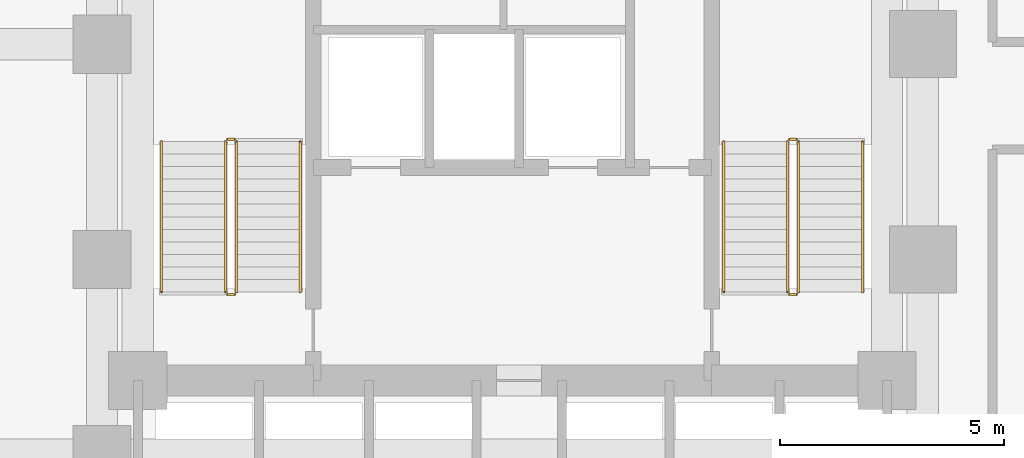
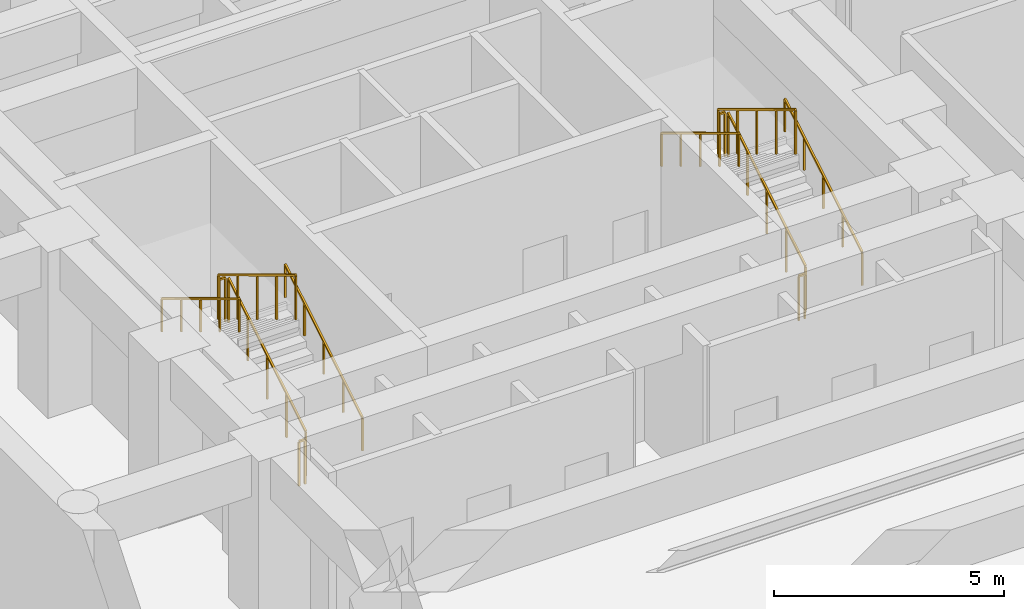
# One storey, part 6 of 6: 12 railings.
"""IFC4 building model written with IfcOpenShell, lengths in metres."""

from ifc_helpers import new_model, si_unit, direction, frame, origin, origin_2d, place, context, subcontext, project, spatial, rectangle, extrude, material, type_object, element, save


model = new_model("IFC4")

# Units and contexts
model_context = context("Model", 3, precision=1e-05, world=origin(), true_north=direction((0.0, 1.0)))
body_context = subcontext(model_context, "Body", "Model", "MODEL_VIEW")
ifc_project = project(units=[si_unit("LENGTHUNIT", "METRE"), si_unit("AREAUNIT", "SQUARE_METRE"), si_unit("VOLUMEUNIT", "CUBIC_METRE"), si_unit("PLANEANGLEUNIT", "RADIAN"), si_unit("MASSUNIT", "GRAM", prefix="KILO")], contexts=[model_context])

# Site, building, storey
site_placement = place(None, origin())
site = spatial("IfcSite", under=ifc_project, at=site_placement, CompositionType="ELEMENT")
building_placement = place(site_placement, origin())
building = spatial("IfcBuilding", under=site, at=building_placement, Name="Orvandelia Arch Residences", CompositionType="ELEMENT")
storey_placement = place(building_placement, frame((0.0, 0.0, -4.39990234375)))
storey = spatial("IfcBuildingStorey", under=building, at=storey_placement, Name="B1", CompositionType="ELEMENT", Elevation=-4.39990234375)

# Railings
ifc_material = material(Name="Brushed Stainless Steel 304", Category="steel")
railing_type_1 = type_object("IfcRailingType", Name="RL-STAIR-GD1120", PredefinedType="GUARDRAIL", material=ifc_material)
railing_1_placement = place(storey_placement, frame((8.25, 32.8701171875, 0.169189453125)))
element("IfcRailing", 1, at=railing_1_placement, inside=storey, type_object=railing_type_1, Name="B1 ST-1 stair guard 1", PredefinedType="GUARDRAIL", context=body_context, shape_type="SweptSolid", body=[
    extrude(rectangle(XDim=0.048095703125, YDim=0.048095703125, at=origin_2d()), frame((0.0, 0.0, 1.17578125), z_axis=(0.0, 0.855820338506, 0.51727318527), x_axis=(-1.0, 0.0, 0.0)), (0.0, 0.0, 1.0), 3.92578125),
    extrude(rectangle(XDim=0.0419921875, YDim=0.0419921875, at=origin_2d()), origin(), (0.0, 0.0, 1.0), 1.15185546875),
    extrude(rectangle(XDim=0.0419921875, YDim=0.0419921875, at=origin_2d()), frame((0.0, 0.83984375, 0.5078125)), (0.0, 0.0, 1.0), 1.15185546875),
    extrude(rectangle(XDim=0.0419921875, YDim=0.0419921875, at=origin_2d()), frame((0.0, 1.679931640625, 1.015380859375)), (0.0, 0.0, 1.0), 1.15185546875),
    extrude(rectangle(XDim=0.0419921875, YDim=0.0419921875, at=origin_2d()), frame((0.0, 2.52001953125, 1.52294921875)), (0.0, 0.0, 1.0), 1.15185546875),
    extrude(rectangle(XDim=0.0419921875, YDim=0.0419921875, at=origin_2d()), frame((0.0, 3.35986328125, 2.03076171875)), (0.0, 0.0, 1.0), 1.15185546875),
])
railing_2_placement = place(storey_placement, frame((8.199951171875, 36.280029296875, 2.199951171875)))
element("IfcRailing", 2, at=railing_2_placement, inside=storey, type_object=railing_type_1, Name="B1 ST-1 stair guard 2", PredefinedType="GUARDRAIL", context=body_context, shape_type="SweptSolid", body=[
    extrude(rectangle(XDim=0.048095703125, YDim=0.048095703125, at=origin_2d()), frame((0.0, 0.0, 1.17578125), z_axis=(-1.0, 0.0, 0.0), x_axis=(0.0, -1.0, 0.0)), (0.0, 0.0, 1.0), 0.14990234375),
    extrude(rectangle(XDim=0.0419921875, YDim=0.0419921875, at=origin_2d()), origin(), (0.0, 0.0, 1.0), 1.15185546875),
    extrude(rectangle(XDim=0.0419921875, YDim=0.0419921875, at=origin_2d()), frame((-0.14990234375, 0.0, 0.0)), (0.0, 0.0, 1.0), 1.15185546875),
])
railing_3_placement = place(storey_placement, frame((8.0, 36.22998046875, 2.369140625)))
element("IfcRailing", 3, at=railing_3_placement, inside=storey, type_object=railing_type_1, Name="B1 ST-1 stair guard 3", PredefinedType="GUARDRAIL", context=body_context, shape_type="SweptSolid", body=[
    extrude(rectangle(XDim=0.048095703125, YDim=0.048095703125, at=origin_2d()), frame((0.0, 0.0, 1.17578125), z_axis=(0.0, -0.855820338506, 0.51727318527), x_axis=(1.0, 0.0, 0.0)), (0.0, 0.0, 1.0), 3.92578125),
    extrude(rectangle(XDim=0.0419921875, YDim=0.0419921875, at=origin_2d()), origin(), (0.0, 0.0, 1.0), 1.15185546875),
    extrude(rectangle(XDim=0.0419921875, YDim=0.0419921875, at=origin_2d()), frame((0.0, -0.83984375, 0.5078125)), (0.0, 0.0, 1.0), 1.15185546875),
    extrude(rectangle(XDim=0.0419921875, YDim=0.0419921875, at=origin_2d()), frame((0.0, -1.679931640625, 1.015380859375)), (0.0, 0.0, 1.0), 1.15185546875),
    extrude(rectangle(XDim=0.0419921875, YDim=0.0419921875, at=origin_2d()), frame((0.0, -2.52001953125, 1.52294921875)), (0.0, 0.0, 1.0), 1.15185546875),
    extrude(rectangle(XDim=0.0419921875, YDim=0.0419921875, at=origin_2d()), frame((0.0, -3.35986328125, 2.03076171875)), (0.0, 0.0, 1.0), 1.15185546875),
])
railing_4_placement = place(storey_placement, frame((8.199951171875, 32.820068359375, 0.0)))
element("IfcRailing", 4, at=railing_4_placement, inside=storey, type_object=railing_type_1, Name="B1 ST-1 stair guard 4", PredefinedType="GUARDRAIL", context=body_context, shape_type="SweptSolid", body=[
    extrude(rectangle(XDim=0.048095703125, YDim=0.048095703125, at=origin_2d()), frame((0.0, 0.0, 1.17578125), z_axis=(-1.0, 0.0, 0.0), x_axis=(0.0, -1.0, 0.0)), (0.0, 0.0, 1.0), 0.14990234375),
    extrude(rectangle(XDim=0.0419921875, YDim=0.0419921875, at=origin_2d()), origin(), (0.0, 0.0, 1.0), 1.15185546875),
    extrude(rectangle(XDim=0.0419921875, YDim=0.0419921875, at=origin_2d()), frame((-0.14990234375, 0.0, 0.0)), (0.0, 0.0, 1.0), 1.15185546875),
])
railing_5_placement = place(storey_placement, frame((20.780029296875, 32.8701171875, 0.169189453125)))
element("IfcRailing", 5, at=railing_5_placement, inside=storey, type_object=railing_type_1, Name="B1 ST-2 stair guard 1", PredefinedType="GUARDRAIL", context=body_context, shape_type="SweptSolid", body=[
    extrude(rectangle(XDim=0.048095703125, YDim=0.048095703125, at=origin_2d()), frame((0.0, 0.0, 1.17578125), z_axis=(0.0, 0.855820338506, 0.51727318527), x_axis=(-1.0, 0.0, 0.0)), (0.0, 0.0, 1.0), 3.92578125),
    extrude(rectangle(XDim=0.0419921875, YDim=0.0419921875, at=origin_2d()), origin(), (0.0, 0.0, 1.0), 1.15185546875),
    extrude(rectangle(XDim=0.0419921875, YDim=0.0419921875, at=origin_2d()), frame((0.0, 0.83984375, 0.5078125)), (0.0, 0.0, 1.0), 1.15185546875),
    extrude(rectangle(XDim=0.0419921875, YDim=0.0419921875, at=origin_2d()), frame((0.0, 1.679931640625, 1.015380859375)), (0.0, 0.0, 1.0), 1.15185546875),
    extrude(rectangle(XDim=0.0419921875, YDim=0.0419921875, at=origin_2d()), frame((0.0, 2.52001953125, 1.52294921875)), (0.0, 0.0, 1.0), 1.15185546875),
    extrude(rectangle(XDim=0.0419921875, YDim=0.0419921875, at=origin_2d()), frame((0.0, 3.35986328125, 2.03076171875)), (0.0, 0.0, 1.0), 1.15185546875),
])
railing_6_placement = place(storey_placement, frame((20.72998046875, 36.280029296875, 2.199951171875)))
element("IfcRailing", 6, at=railing_6_placement, inside=storey, type_object=railing_type_1, Name="B1 ST-2 stair guard 2", PredefinedType="GUARDRAIL", context=body_context, shape_type="SweptSolid", body=[
    extrude(rectangle(XDim=0.048095703125, YDim=0.048095703125, at=origin_2d()), frame((0.0, 0.0, 1.17578125), z_axis=(-1.0, 0.0, 0.0), x_axis=(0.0, -1.0, 0.0)), (0.0, 0.0, 1.0), 0.14990234375),
    extrude(rectangle(XDim=0.0419921875, YDim=0.0419921875, at=origin_2d()), origin(), (0.0, 0.0, 1.0), 1.15185546875),
    extrude(rectangle(XDim=0.0419921875, YDim=0.0419921875, at=origin_2d()), frame((-0.14990234375, 0.0, 0.0)), (0.0, 0.0, 1.0), 1.15185546875),
])
railing_7_placement = place(storey_placement, frame((20.530029296875, 36.22998046875, 2.369140625)))
element("IfcRailing", 7, at=railing_7_placement, inside=storey, type_object=railing_type_1, Name="B1 ST-2 stair guard 3", PredefinedType="GUARDRAIL", context=body_context, shape_type="SweptSolid", body=[
    extrude(rectangle(XDim=0.048095703125, YDim=0.048095703125, at=origin_2d()), frame((0.0, 0.0, 1.17578125), z_axis=(0.0, -0.855820338506, 0.51727318527), x_axis=(1.0, 0.0, 0.0)), (0.0, 0.0, 1.0), 3.92578125),
    extrude(rectangle(XDim=0.0419921875, YDim=0.0419921875, at=origin_2d()), origin(), (0.0, 0.0, 1.0), 1.15185546875),
    extrude(rectangle(XDim=0.0419921875, YDim=0.0419921875, at=origin_2d()), frame((0.0, -0.83984375, 0.5078125)), (0.0, 0.0, 1.0), 1.15185546875),
    extrude(rectangle(XDim=0.0419921875, YDim=0.0419921875, at=origin_2d()), frame((0.0, -1.679931640625, 1.015380859375)), (0.0, 0.0, 1.0), 1.15185546875),
    extrude(rectangle(XDim=0.0419921875, YDim=0.0419921875, at=origin_2d()), frame((0.0, -2.52001953125, 1.52294921875)), (0.0, 0.0, 1.0), 1.15185546875),
    extrude(rectangle(XDim=0.0419921875, YDim=0.0419921875, at=origin_2d()), frame((0.0, -3.35986328125, 2.03076171875)), (0.0, 0.0, 1.0), 1.15185546875),
])
railing_8_placement = place(storey_placement, frame((20.72998046875, 32.820068359375, 0.0)))
element("IfcRailing", 8, at=railing_8_placement, inside=storey, type_object=railing_type_1, Name="B1 ST-2 stair guard 4", PredefinedType="GUARDRAIL", context=body_context, shape_type="SweptSolid", body=[
    extrude(rectangle(XDim=0.048095703125, YDim=0.048095703125, at=origin_2d()), frame((0.0, 0.0, 1.17578125), z_axis=(-1.0, 0.0, 0.0), x_axis=(0.0, -1.0, 0.0)), (0.0, 0.0, 1.0), 0.14990234375),
    extrude(rectangle(XDim=0.0419921875, YDim=0.0419921875, at=origin_2d()), origin(), (0.0, 0.0, 1.0), 1.15185546875),
    extrude(rectangle(XDim=0.0419921875, YDim=0.0419921875, at=origin_2d()), frame((-0.14990234375, 0.0, 0.0)), (0.0, 0.0, 1.0), 1.15185546875),
])
railing_type_2 = type_object("IfcRailingType", Name="RL-STAIR-HR920", PredefinedType="HANDRAIL", material=ifc_material)
railing_9_placement = place(storey_placement, frame((9.669921875, 32.8701171875, 0.33837890625)))
element("IfcRailing", 9, at=railing_9_placement, inside=storey, type_object=railing_type_2, Name="B1 ST-1 stair handrail 1", PredefinedType="HANDRAIL", context=body_context, shape_type="SweptSolid", body=[
    extrude(rectangle(XDim=0.048095703125, YDim=0.048095703125, at=origin_2d()), frame((0.0, 0.0, 0.8759765625), z_axis=(0.0, 0.855820338506, 0.51727318527), x_axis=(-1.0, 0.0, 0.0)), (0.0, 0.0, 1.0), 3.92578125),
    extrude(rectangle(XDim=0.0419921875, YDim=0.0419921875, at=origin_2d()), origin(), (0.0, 0.0, 1.0), 0.851806640625),
    extrude(rectangle(XDim=0.0419921875, YDim=0.0419921875, at=origin_2d()), frame((0.0, 0.83984375, 0.5078125)), (0.0, 0.0, 1.0), 0.851806640625),
    extrude(rectangle(XDim=0.0419921875, YDim=0.0419921875, at=origin_2d()), frame((0.0, 1.679931640625, 1.015380859375)), (0.0, 0.0, 1.0), 0.851806640625),
    extrude(rectangle(XDim=0.0419921875, YDim=0.0419921875, at=origin_2d()), frame((0.0, 2.52001953125, 1.52294921875)), (0.0, 0.0, 1.0), 0.851806640625),
    extrude(rectangle(XDim=0.0419921875, YDim=0.0419921875, at=origin_2d()), frame((0.0, 3.35986328125, 2.03076171875)), (0.0, 0.0, 1.0), 0.851806640625),
])
railing_10_placement = place(storey_placement, frame((6.580078125, 36.22998046875, 2.538330078125)))
element("IfcRailing", 10, at=railing_10_placement, inside=storey, type_object=railing_type_2, Name="B1 ST-1 stair handrail 2", PredefinedType="HANDRAIL", context=body_context, shape_type="SweptSolid", body=[
    extrude(rectangle(XDim=0.048095703125, YDim=0.048095703125, at=origin_2d()), frame((0.0, 0.0, 0.8759765625), z_axis=(0.0, -0.855820338506, 0.51727318527), x_axis=(1.0, 0.0, 0.0)), (0.0, 0.0, 1.0), 3.92578125),
    extrude(rectangle(XDim=0.0419921875, YDim=0.0419921875, at=origin_2d()), origin(), (0.0, 0.0, 1.0), 0.851806640625),
    extrude(rectangle(XDim=0.0419921875, YDim=0.0419921875, at=origin_2d()), frame((0.0, -0.83984375, 0.5078125)), (0.0, 0.0, 1.0), 0.851806640625),
    extrude(rectangle(XDim=0.0419921875, YDim=0.0419921875, at=origin_2d()), frame((0.0, -1.679931640625, 1.015380859375)), (0.0, 0.0, 1.0), 0.851806640625),
    extrude(rectangle(XDim=0.0419921875, YDim=0.0419921875, at=origin_2d()), frame((0.0, -2.52001953125, 1.52294921875)), (0.0, 0.0, 1.0), 0.851806640625),
    extrude(rectangle(XDim=0.0419921875, YDim=0.0419921875, at=origin_2d()), frame((0.0, -3.35986328125, 2.03076171875)), (0.0, 0.0, 1.0), 0.851806640625),
])
railing_11_placement = place(storey_placement, frame((22.199951171875, 32.8701171875, 0.33837890625)))
element("IfcRailing", 11, at=railing_11_placement, inside=storey, type_object=railing_type_2, Name="B1 ST-2 stair handrail 1", PredefinedType="HANDRAIL", context=body_context, shape_type="SweptSolid", body=[
    extrude(rectangle(XDim=0.048095703125, YDim=0.048095703125, at=origin_2d()), frame((0.0, 0.0, 0.8759765625), z_axis=(0.0, 0.855820338506, 0.51727318527), x_axis=(-1.0, 0.0, 0.0)), (0.0, 0.0, 1.0), 3.92578125),
    extrude(rectangle(XDim=0.0419921875, YDim=0.0419921875, at=origin_2d()), origin(), (0.0, 0.0, 1.0), 0.851806640625),
    extrude(rectangle(XDim=0.0419921875, YDim=0.0419921875, at=origin_2d()), frame((0.0, 0.83984375, 0.5078125)), (0.0, 0.0, 1.0), 0.851806640625),
    extrude(rectangle(XDim=0.0419921875, YDim=0.0419921875, at=origin_2d()), frame((0.0, 1.679931640625, 1.015380859375)), (0.0, 0.0, 1.0), 0.851806640625),
    extrude(rectangle(XDim=0.0419921875, YDim=0.0419921875, at=origin_2d()), frame((0.0, 2.52001953125, 1.52294921875)), (0.0, 0.0, 1.0), 0.851806640625),
    extrude(rectangle(XDim=0.0419921875, YDim=0.0419921875, at=origin_2d()), frame((0.0, 3.35986328125, 2.03076171875)), (0.0, 0.0, 1.0), 0.851806640625),
])
railing_12_placement = place(storey_placement, frame((19.110107421875, 36.22998046875, 2.538330078125)))
element("IfcRailing", 12, at=railing_12_placement, inside=storey, type_object=railing_type_2, Name="B1 ST-2 stair handrail 2", PredefinedType="HANDRAIL", context=body_context, shape_type="SweptSolid", body=[
    extrude(rectangle(XDim=0.048095703125, YDim=0.048095703125, at=origin_2d()), frame((0.0, 0.0, 0.8759765625), z_axis=(0.0, -0.855820338506, 0.51727318527), x_axis=(1.0, 0.0, 0.0)), (0.0, 0.0, 1.0), 3.92578125),
    extrude(rectangle(XDim=0.0419921875, YDim=0.0419921875, at=origin_2d()), origin(), (0.0, 0.0, 1.0), 0.851806640625),
    extrude(rectangle(XDim=0.0419921875, YDim=0.0419921875, at=origin_2d()), frame((0.0, -0.83984375, 0.5078125)), (0.0, 0.0, 1.0), 0.851806640625),
    extrude(rectangle(XDim=0.0419921875, YDim=0.0419921875, at=origin_2d()), frame((0.0, -1.679931640625, 1.015380859375)), (0.0, 0.0, 1.0), 0.851806640625),
    extrude(rectangle(XDim=0.0419921875, YDim=0.0419921875, at=origin_2d()), frame((0.0, -2.52001953125, 1.52294921875)), (0.0, 0.0, 1.0), 0.851806640625),
    extrude(rectangle(XDim=0.0419921875, YDim=0.0419921875, at=origin_2d()), frame((0.0, -3.35986328125, 2.03076171875)), (0.0, 0.0, 1.0), 0.851806640625),
])

save(model, "model.ifc")
